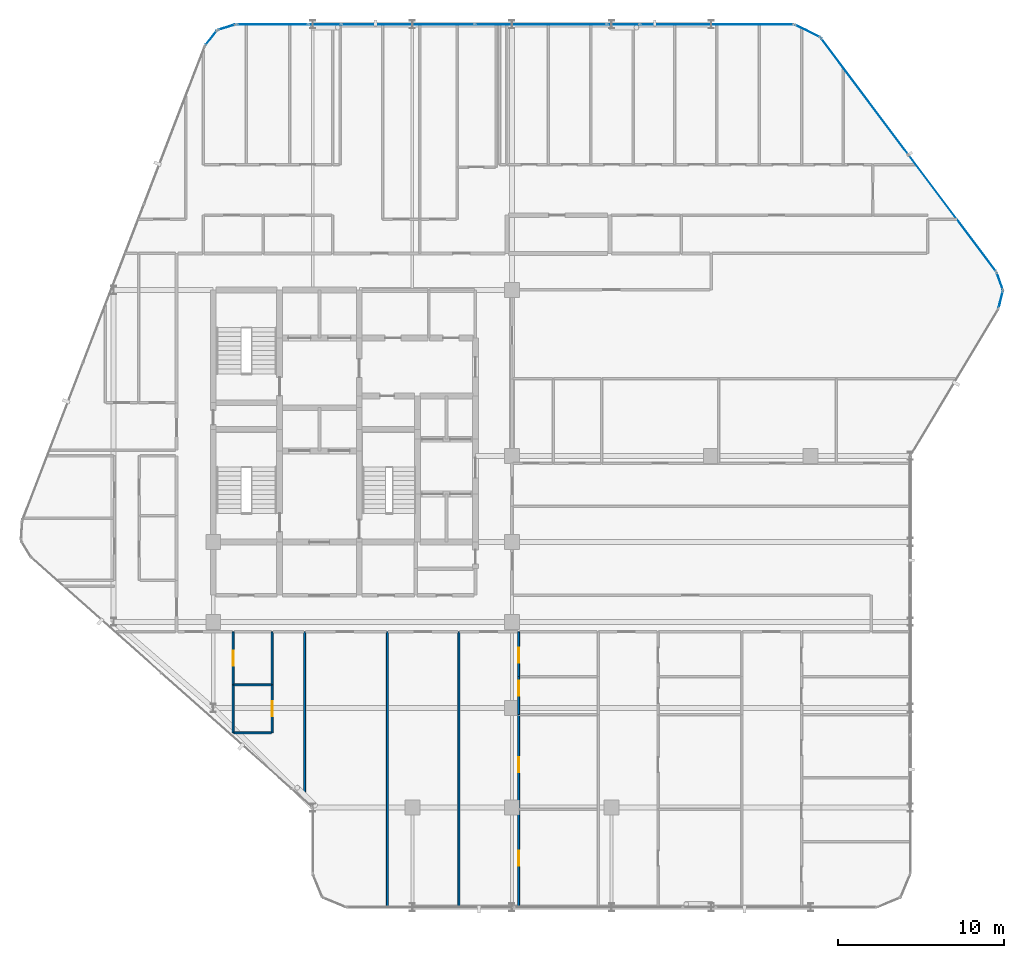
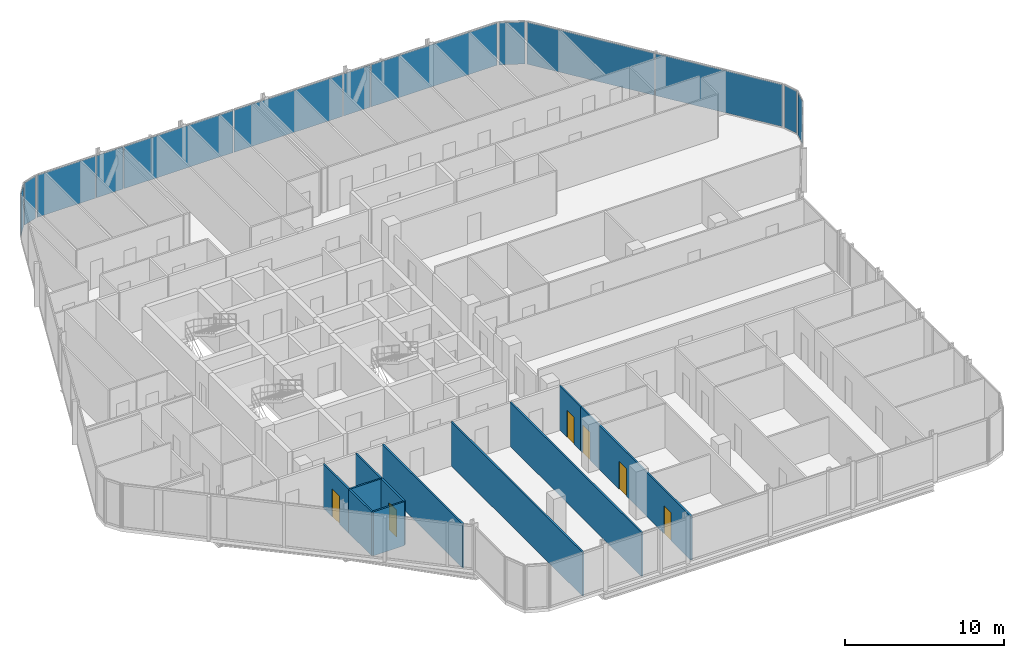
# One storey, part 24 of 31: 13 plates, 12 walls, 6 doors, 6 openings, 11 elements without a shape of their own.
"""IFC4 building model written with IfcOpenShell, lengths in metres."""

import ifcopenshell
import ifcopenshell.guid

model = None  # the IFC model being written
_history = None  # IfcOwnerHistory: only IFC2X3 demands one
_inside = {}  # id of a spatial element -> (the spatial element, [elements in it])
_under = {}  # id of a project, library or spatial element -> (it, [spatial elements below it])
_declared = {}  # id of a project -> (the project, [libraries it declares])
_typed = {}  # id of a type object -> (the type object, [elements of that type])
_made_of = {}  # id of a material, layer set ... -> (it, [elements and type objects made of it])


def new_model(schema):
    """Start an empty IFC model of exactly this schema.

    Asked for "IFC4X3", IfcOpenShell would pick the latest addendum, in which some entities
    have other attributes; the version numbers below select the first issue.
    IFC2X3 requires an IfcOwnerHistory on every rooted entity: one is made here for all.
    """
    global model, _history
    if schema == "IFC4X3":
        model = ifcopenshell.file(schema_version=(4, 3, 0, 0))
    else:
        model = ifcopenshell.file(schema=schema)
    _inside.clear()
    _under.clear()
    _declared.clear()
    _typed.clear()
    _made_of.clear()
    _history = None
    if model.schema == "IFC2X3":
        org = make("IfcOrganization", Name="unknown")
        user = make(
            "IfcPersonAndOrganization",
            ThePerson=make("IfcPerson", FamilyName="unknown"),
            TheOrganization=org,
        )
        app = make(
            "IfcApplication",
            ApplicationDeveloper=org,
            Version="unknown",
            ApplicationFullName="unknown",
            ApplicationIdentifier="unknown",
        )
        _history = make(
            "IfcOwnerHistory",
            OwningUser=user,
            OwningApplication=app,
            ChangeAction="ADDED",
            CreationDate=0,
        )
    return model


def make(cls, **values):
    """One entity of the class cls with the attributes given. An attribute that is None is left unset."""
    return model.create_entity(
        cls, **{name: value for name, value in values.items() if value is not None}
    )


def rooted(cls, **values):
    """An entity with a GlobalId (a new one), such as an element, a storey or a relation."""
    return make(cls, GlobalId=ifcopenshell.guid.new(), OwnerHistory=_history, **values)


def si_unit(unit_type, name, prefix=None):
    """IfcSIUnit, for example si_unit("LENGTHUNIT", "METRE", prefix="MILLI")."""
    return make("IfcSIUnit", UnitType=unit_type, Prefix=prefix, Name=name)


def assignment(units):
    """IfcUnitAssignment: the units of a project."""
    return None if units is None else make("IfcUnitAssignment", Units=units)


def point(xyz):
    """IfcCartesianPoint."""
    return None if xyz is None else make("IfcCartesianPoint", Coordinates=xyz)


def direction(xyz):
    """IfcDirection."""
    return None if xyz is None else make("IfcDirection", DirectionRatios=xyz)


def frame(location, z_axis=None, x_axis=None):
    """IfcAxis2Placement3D, a coordinate frame: its origin and axes. An axis left out is left unset."""
    return make(
        "IfcAxis2Placement3D",
        Location=point(location),
        Axis=direction(z_axis),
        RefDirection=direction(x_axis),
    )


def frame_2d(location, x_axis=None):
    """IfcAxis2Placement2D, a coordinate frame in the plane: its origin and x axis."""
    return make(
        "IfcAxis2Placement2D", Location=point(location), RefDirection=direction(x_axis)
    )


def origin():
    """The frame at (0, 0, 0) with its axes left unset."""
    return frame((0.0, 0.0, 0.0))


def origin_2d():
    """The frame at (0, 0) in the plane with its x axis left unset."""
    return frame_2d((0.0, 0.0))


def place(relative_to, where):
    """IfcLocalPlacement: puts the frame where relative to a parent placement (None: the world)."""
    return make(
        "IfcLocalPlacement", PlacementRelTo=relative_to, RelativePlacement=where
    )


def context(
    kind, dimensions, precision=None, world=None, true_north=None, identifier=None
):
    """IfcGeometricRepresentationContext, for example the 3D "Model" context."""
    return make(
        "IfcGeometricRepresentationContext",
        ContextIdentifier=identifier,
        ContextType=kind,
        CoordinateSpaceDimension=dimensions,
        Precision=precision,
        WorldCoordinateSystem=world,
        TrueNorth=true_north,
    )


def subcontext(parent, identifier, kind, view, scale=None):
    """IfcGeometricRepresentationSubContext, for example "Body" below "Model"."""
    return make(
        "IfcGeometricRepresentationSubContext",
        ContextIdentifier=identifier,
        ContextType=kind,
        ParentContext=parent,
        TargetScale=scale,
        TargetView=view,
    )


def project(units=None, contexts=None):
    """IfcProject with its units and contexts."""
    return rooted(
        "IfcProject",
        Name="project",
        RepresentationContexts=contexts,
        UnitsInContext=assignment(units),
    )


def spatial(cls, under=None, at=None, **own):
    """A site, building, storey or space (cls), placed at a placement, below another one or the project."""
    s = rooted(cls, ObjectPlacement=at, **own)
    if under is not None:
        _under.setdefault(under.id(), (under, []))[1].append(s)
    return s


def profile(cls, at=None, kind="AREA", **sizes):
    """A parametric profile (cls). Its sizes go by their IFC names, for example OverallWidth=200.0."""
    return make(cls, ProfileType=kind, Position=at, **sizes)


def rectangle(**sizes):
    """IfcRectangleProfileDef."""
    return profile("IfcRectangleProfileDef", **sizes)


def extrude(swept, where, along, depth):
    """IfcExtrudedAreaSolid: the profile swept, set in the frame where, extruded along a direction by depth."""
    return make(
        "IfcExtrudedAreaSolid",
        SweptArea=swept,
        Position=where,
        ExtrudedDirection=direction(along),
        Depth=depth,
    )


def shape(context_of_items, identifier, shape_type, items):
    """IfcShapeRepresentation: the items that make up one representation, for example the "Body"."""
    return make(
        "IfcShapeRepresentation",
        ContextOfItems=context_of_items,
        RepresentationIdentifier=identifier,
        RepresentationType=shape_type,
        Items=items,
    )


def material(Name=None, Category=None):
    """IfcMaterial."""
    return make("IfcMaterial", Name=Name, Category=Category)


def layer(
    of_material, thickness, ventilated=None, Name=None, Category=None, Priority=None
):
    """IfcMaterialLayer: one layer of a wall or slab, of a material (None: an air gap)."""
    return make(
        "IfcMaterialLayer",
        Material=of_material,
        LayerThickness=thickness,
        IsVentilated=ventilated,
        Name=Name,
        Category=Category,
        Priority=Priority,
    )


def layer_set(layers, Name=None):
    """IfcMaterialLayerSet."""
    return make("IfcMaterialLayerSet", MaterialLayers=layers, LayerSetName=Name)


def made_of(thing, what):
    """Note that an element or type object is made of a material, layer set ...; save() writes the relation."""
    if what is not None:
        _made_of.setdefault(what.id(), (what, []))[1].append(thing)
    return thing


def type_object(cls, material=None, **own):
    """A type object (cls), such as IfcWallType, which elements share."""
    return made_of(rooted(cls, **own), material)


def element(
    cls,
    number,
    at=None,
    inside=None,
    cuts=None,
    type_object=None,
    material=None,
    context=None,
    identifier="Body",
    shape_type=None,
    held_by="IfcProductDefinitionShape",
    body=None,
    shapes=None,
    **own,
):
    """One element of the class cls, such as IfcWall. Its Tag is "e" and its number.

    at: its placement. inside: the storey or other place that contains it. cuts: it is an
    opening in that element (IfcRelVoidsElement). A single representation is given by context,
    identifier, shape_type and body (its items); several are given by shapes. held_by: the class
    of the entity that holds the representations. save() writes the other relations.
    """
    e = rooted(cls, Tag="e%d" % number, ObjectPlacement=at, **own)
    if body is not None:
        shapes = [shape(context, identifier, shape_type, body)]
    if shapes is not None:
        e.Representation = make(held_by, Representations=shapes)
    if inside is not None:
        _inside.setdefault(inside.id(), (inside, []))[1].append(e)
    if cuts is not None:
        rooted(
            "IfcRelVoidsElement", RelatingBuildingElement=cuts, RelatedOpeningElement=e
        )
    if type_object is not None:
        _typed.setdefault(type_object.id(), (type_object, []))[1].append(e)
    return made_of(e, material)


def fill(opening, filler):
    """IfcRelFillsElement: the door or window that sits in an opening."""
    return rooted(
        "IfcRelFillsElement",
        RelatingOpeningElement=opening,
        RelatedBuildingElement=filler,
    )


def aggregate(whole, parts):
    """IfcRelAggregates: a whole, such as a stair, and the parts it consists of."""
    return rooted("IfcRelAggregates", RelatingObject=whole, RelatedObjects=parts)


def save(model, path):
    """Write the relations noted so far, then the file.

    IfcRelAggregates (storeys below a building ...), IfcRelContainedInSpatialStructure (elements
    in a storey), IfcRelDefinesByType, IfcRelAssociatesMaterial and IfcRelDeclares: one each for
    every whole, place, type object, material and project.
    """
    for whole, parts in _under.values():
        aggregate(whole, parts)
    for where, things in _inside.values():
        rooted(
            "IfcRelContainedInSpatialStructure",
            RelatedElements=things,
            RelatingStructure=where,
        )
    for kind, things in _typed.values():
        rooted("IfcRelDefinesByType", RelatedObjects=things, RelatingType=kind)
    for what, things in _made_of.values():
        rooted("IfcRelAssociatesMaterial", RelatedObjects=things, RelatingMaterial=what)
    for by, libraries in _declared.values():
        rooted("IfcRelDeclares", RelatingContext=by, RelatedDefinitions=libraries)
    model.write(path)


model = new_model("IFC4")

# Units and contexts
model_context = context("Model", 3, precision=1e-05, world=origin(), true_north=direction((0.0, 1.0)))
body_context = subcontext(model_context, "Body", "Model", "MODEL_VIEW")
ifc_project = project(units=[si_unit("LENGTHUNIT", "METRE"), si_unit("AREAUNIT", "SQUARE_METRE"), si_unit("VOLUMEUNIT", "CUBIC_METRE"), si_unit("PLANEANGLEUNIT", "RADIAN"), si_unit("MASSUNIT", "GRAM", prefix="KILO")], contexts=[model_context])

# Site, building, storey
site_placement = place(None, origin())
site = spatial("IfcSite", under=ifc_project, at=site_placement, CompositionType="ELEMENT")
building_placement = place(site_placement, origin())
building = spatial("IfcBuilding", under=site, at=building_placement, Name="Keshet Zoharim Tower", CompositionType="ELEMENT")
storey_placement = place(building_placement, frame((0.0, 0.0, 148.300048828125)))
storey = spatial("IfcBuildingStorey", under=building, at=storey_placement, Name="L36", CompositionType="ELEMENT", Elevation=148.300048828125)

# Curtain wall, plate
ifc_material_1 = material(Name="Aluminium 6063-T6", Category="aluminium")
ifc_layer_1 = layer(ifc_material_1, 0.159912109375)
ifc_layer_set_1 = layer_set([ifc_layer_1], Name="Aluminium 6063-T6")
curtain_wall_type = type_object("IfcCurtainWallType", Name="CW-SYS-03", PredefinedType="NOTDEFINED", material=ifc_layer_set_1)
curtain_wall_1_placement = place(storey_placement, origin())
curtain_wall_1 = element("IfcCurtainWall", 1, at=curtain_wall_1_placement, inside=storey, type_object=curtain_wall_type, Name="L36 Unitised Curtain Wall 11", PredefinedType="NOTDEFINED")
ifc_material_2 = material(Name="Insulated Low-E Clear Glass", Category="glass")
ifc_layer_2 = layer(ifc_material_2, 0.035888671875)
ifc_layer_set_2 = layer_set([ifc_layer_2], Name="Insulated Low-E Clear Glass")
plate_type_1 = type_object("IfcPlateType", Name="CWP-01", PredefinedType="CURTAIN_PANEL", material=ifc_layer_set_2)
plate_1_placement = place(storey_placement, frame((14.8740234375, 53.08349609375, 0.06982421875), z_axis=(0.0, 0.0, 1.0), x_axis=(0.619124525989, 0.785292825205, 0.0)))
plate_1 = element("IfcPlate", 2, at=plate_1_placement, type_object=plate_type_1, Name="CW-03 panel 1.1", PredefinedType="CURTAIN_PANEL", context=body_context, shape_type="SweptSolid", body=[
    extrude(rectangle(XDim=1.045654296875, YDim=0.035888671875, at=origin_2d()), origin(), (0.0, 0.0, 1.0), 3.2451171875),
])
aggregate(curtain_wall_1, [plate_1])

curtain_wall_2_placement = place(storey_placement, origin())
curtain_wall_2 = element("IfcCurtainWall", 3, at=curtain_wall_2_placement, inside=storey, type_object=curtain_wall_type, Name="L36 Unitised Curtain Wall 12", PredefinedType="NOTDEFINED")
plate_2_placement = place(storey_placement, frame((15.8076171875, 53.724609375, 0.06982421875), z_axis=(0.0, 0.0, 1.0), x_axis=(0.955212151288, 0.295921857984, 0.0)))
plate_2 = element("IfcPlate", 4, at=plate_2_placement, type_object=plate_type_1, Name="CW-03 panel 1.1", PredefinedType="CURTAIN_PANEL", context=body_context, shape_type="SweptSolid", body=[
    extrude(rectangle(XDim=1.046142578125, YDim=0.035888671875, at=origin_2d()), origin(), (0.0, 0.0, 1.0), 3.2451171875),
])
aggregate(curtain_wall_2, [plate_2])

curtain_wall_3_placement = place(storey_placement, origin())
curtain_wall_3 = element("IfcCurtainWall", 5, at=curtain_wall_3_placement, inside=storey, type_object=curtain_wall_type, Name="L36 Unitised Curtain Wall 13", PredefinedType="NOTDEFINED")
ifc_layer_3 = layer(ifc_material_2, 0.031982421875)
ifc_layer_set_3 = layer_set([ifc_layer_3], Name="Insulated Low-E Clear Glass")
plate_type_2 = type_object("IfcPlateType", Name="CWP-02", PredefinedType="CURTAIN_PANEL", material=ifc_layer_set_3)
plate_3_placement = place(storey_placement, frame((18.56298828125, 53.89990234375, 0.06982421875), z_axis=(0.0, 0.0, 1.0), x_axis=(1.0, 0.0, 0.0)))
plate_3 = element("IfcPlate", 6, at=plate_3_placement, type_object=plate_type_2, Name="CW-03 panel 1.1", PredefinedType="CURTAIN_PANEL", context=body_context, shape_type="SweptSolid", body=[
    extrude(rectangle(XDim=4.23779296875, YDim=0.031982421875, at=origin_2d()), origin(), (0.0, 0.0, 1.0), 3.2451171875),
])
aggregate(curtain_wall_3, [plate_3])

# Curtain wall, plates
curtain_wall_4_placement = place(storey_placement, origin())
curtain_wall_4 = element("IfcCurtainWall", 7, at=curtain_wall_4_placement, inside=storey, type_object=curtain_wall_type, Name="L36 Unitised Curtain Wall 13 Part 3", PredefinedType="NOTDEFINED")
plate_4_placement = place(storey_placement, frame((26.7314453125, 53.89990234375, 0.06982421875), z_axis=(0.0, 0.0, 1.0), x_axis=(1.0, 0.0, 0.0)))
plate_4 = element("IfcPlate", 8, at=plate_4_placement, type_object=plate_type_2, Name="CW-03 panel 1.1", PredefinedType="CURTAIN_PANEL", context=body_context, shape_type="SweptSolid", body=[
    extrude(rectangle(XDim=7.966796875, YDim=0.031982421875, at=origin_2d()), origin(), (0.0, 0.0, 1.0), 3.2451171875),
])
plate_5_placement = place(storey_placement, frame((34.7333984375, 53.89990234375, 0.06982421875), z_axis=(0.0, 0.0, 1.0), x_axis=(1.0, 0.0, 0.0)))
plate_5 = element("IfcPlate", 9, at=plate_5_placement, type_object=plate_type_2, Name="CW-03 panel 2.1", PredefinedType="CURTAIN_PANEL", context=body_context, shape_type="SweptSolid", body=[
    extrude(rectangle(XDim=7.89697265625, YDim=0.031982421875, at=origin_2d()), origin(), (0.0, 0.0, 1.0), 3.2451171875),
])
aggregate(curtain_wall_4, [plate_4, plate_5])

# Curtain wall, plate
curtain_wall_5_placement = place(storey_placement, origin())
curtain_wall_5 = element("IfcCurtainWall", 10, at=curtain_wall_5_placement, inside=storey, type_object=curtain_wall_type, Name="L36 Unitised Curtain Wall 13 Part 5", PredefinedType="NOTDEFINED")
plate_6_placement = place(storey_placement, frame((45.339111328125, 53.89990234375, 0.06982421875), z_axis=(0.0, 0.0, 1.0), x_axis=(1.0, 0.0, 0.0)))
plate_6 = element("IfcPlate", 11, at=plate_6_placement, type_object=plate_type_2, Name="CW-03 panel 1.1", PredefinedType="CURTAIN_PANEL", context=body_context, shape_type="SweptSolid", body=[
    extrude(rectangle(XDim=9.181884765625, YDim=0.031982421875, at=origin_2d()), origin(), (0.0, 0.0, 1.0), 3.2451171875),
])
aggregate(curtain_wall_5, [plate_6])

curtain_wall_6_placement = place(storey_placement, origin())
curtain_wall_6 = element("IfcCurtainWall", 12, at=curtain_wall_6_placement, inside=storey, type_object=curtain_wall_type, Name="L36 Unitised Curtain Wall 14", PredefinedType="NOTDEFINED")
plate_7_placement = place(storey_placement, frame((50.800048828125, 53.5, 0.06982421875), z_axis=(0.0, 0.0, 1.0), x_axis=(0.894427191001, -0.447213595499, 0.0)))
plate_7 = element("IfcPlate", 13, at=plate_7_placement, type_object=plate_type_2, Name="CW-03 panel 1.1", PredefinedType="CURTAIN_PANEL", context=body_context, shape_type="SweptSolid", body=[
    extrude(rectangle(XDim=1.64892578125, YDim=0.031982421875, at=origin_2d()), origin(), (0.0, 0.0, 1.0), 3.2451171875),
])
aggregate(curtain_wall_6, [plate_7])

# Curtain wall, plates
curtain_wall_7_placement = place(storey_placement, origin())
curtain_wall_7 = element("IfcCurtainWall", 14, at=curtain_wall_7_placement, inside=storey, type_object=curtain_wall_type, Name="L36 Unitised Curtain Wall 15", PredefinedType="NOTDEFINED")
plate_8_placement = place(storey_placement, frame((54.2587890625, 49.554931640625, 0.06982421875), z_axis=(0.0, 0.0, 1.0), x_axis=(0.600000000002, -0.799999999998, 0.0)))
plate_8 = element("IfcPlate", 15, at=plate_8_placement, type_object=plate_type_2, Name="CW-03 panel 1.1", PredefinedType="CURTAIN_PANEL", context=body_context, shape_type="SweptSolid", body=[
    extrude(rectangle(XDim=8.722412109375, YDim=0.031982421875, at=origin_2d()), origin(), (0.0, 0.0, 1.0), 3.2451171875),
])
plate_9_placement = place(storey_placement, frame((59.5341796875, 42.52099609375, 0.06982421875), z_axis=(0.0, 0.0, 1.0), x_axis=(0.600000000002, -0.799999999998, 0.0)))
plate_9 = element("IfcPlate", 16, at=plate_9_placement, type_object=plate_type_2, Name="CW-03 panel 2.1", PredefinedType="CURTAIN_PANEL", context=body_context, shape_type="SweptSolid", body=[
    extrude(rectangle(XDim=8.722412109375, YDim=0.031982421875, at=origin_2d()), origin(), (0.0, 0.0, 1.0), 3.2451171875),
])
aggregate(curtain_wall_7, [plate_8, plate_9])

# Curtain wall, plate
curtain_wall_8_placement = place(storey_placement, origin())
curtain_wall_8 = element("IfcCurtainWall", 17, at=curtain_wall_8_placement, inside=storey, type_object=curtain_wall_type, Name="L36 Unitised Curtain Wall 16", PredefinedType="NOTDEFINED")
plate_10_placement = place(storey_placement, frame((62.3916015625, 38.427490234375, 0.06982421875), z_axis=(0.0, 0.0, 1.0), x_axis=(0.340297354046, -0.940317877544, 0.0)))
plate_10 = element("IfcPlate", 18, at=plate_10_placement, type_object=plate_type_2, Name="CW-03 panel 1.1", PredefinedType="CURTAIN_PANEL", context=body_context, shape_type="SweptSolid", body=[
    extrude(rectangle(XDim=1.026611328125, YDim=0.031982421875, at=origin_2d()), origin(), (0.0, 0.0, 1.0), 3.2451171875),
])
aggregate(curtain_wall_8, [plate_10])

curtain_wall_9_placement = place(storey_placement, origin())
curtain_wall_9 = element("IfcCurtainWall", 19, at=curtain_wall_9_placement, inside=storey, type_object=curtain_wall_type, Name="L36 Unitised Curtain Wall 17", PredefinedType="NOTDEFINED")
plate_11_placement = place(storey_placement, frame((62.448974609375, 37.31298828125, 0.06982421875), z_axis=(0.0, 0.0, 1.0), x_axis=(-0.241728770141, -0.970343857447, 0.0)))
plate_11 = element("IfcPlate", 20, at=plate_11_placement, type_object=plate_type_2, Name="CW-03 panel 1.1", PredefinedType="CURTAIN_PANEL", context=body_context, shape_type="SweptSolid", body=[
    extrude(rectangle(XDim=1.026611328125, YDim=0.031982421875, at=origin_2d()), origin(), (0.0, 0.0, 1.0), 3.2451171875),
])
aggregate(curtain_wall_9, [plate_11])

curtain_wall_10_placement = place(storey_placement, origin())
curtain_wall_10 = element("IfcCurtainWall", 21, at=curtain_wall_10_placement, inside=storey, type_object=curtain_wall_type, Name="L36 Unitised Curtain Wall 13 Part 2", PredefinedType="NOTDEFINED")
ifc_material_3 = material(Name="Insulated Aluminium Spandrel Panel", Category="aluminium")
ifc_layer_4 = layer(ifc_material_3, 0.031982421875)
ifc_layer_set_4 = layer_set([ifc_layer_4], Name="Insulated Aluminium Spandrel Panel")
plate_type_3 = type_object("IfcPlateType", Name="CWP-05", PredefinedType="CURTAIN_PANEL", material=ifc_layer_set_4)
plate_12_placement = place(storey_placement, frame((21.715087890625, 53.89990234375, 0.06982421875), z_axis=(0.0, 0.0, 1.0), x_axis=(1.0, 0.0, 0.0)))
plate_12 = element("IfcPlate", 22, at=plate_12_placement, type_object=plate_type_3, Name="CW-03 spandrel panel 1.1", PredefinedType="CURTAIN_PANEL", context=body_context, shape_type="SweptSolid", body=[
    extrude(rectangle(XDim=1.92626953125, YDim=0.031982421875, at=origin_2d()), origin(), (0.0, 0.0, 1.0), 3.2451171875),
])
aggregate(curtain_wall_10, [plate_12])

curtain_wall_11_placement = place(storey_placement, origin())
curtain_wall_11 = element("IfcCurtainWall", 23, at=curtain_wall_11_placement, inside=storey, type_object=curtain_wall_type, Name="L36 Unitised Curtain Wall 13 Part 4", PredefinedType="NOTDEFINED")
plate_13_placement = place(storey_placement, frame((39.715087890625, 53.89990234375, 0.06982421875), z_axis=(0.0, 0.0, 1.0), x_axis=(1.0, 0.0, 0.0)))
plate_13 = element("IfcPlate", 24, at=plate_13_placement, type_object=plate_type_3, Name="CW-03 spandrel panel 1.1", PredefinedType="CURTAIN_PANEL", context=body_context, shape_type="SweptSolid", body=[
    extrude(rectangle(XDim=1.92626953125, YDim=0.031982421875, at=origin_2d()), origin(), (0.0, 0.0, 1.0), 3.2451171875),
])
aggregate(curtain_wall_11, [plate_13])

# Wall, opening, door
ifc_material_4 = material(Name="Gypsum Plasterboard", Category="gypsum")
ifc_layer_5 = layer(ifc_material_4, 0.1201171875)
ifc_layer_set_5 = layer_set([ifc_layer_5], Name="Gypsum Plasterboard")
wall_type_1 = type_object("IfcWallType", Name="WL-PART-120", PredefinedType="PARTITIONING", material=ifc_layer_set_5)
wall_1_placement = place(storey_placement, frame((16.199951171875, 14.10009765625, 0.0), z_axis=(0.0, 0.0, 1.0), x_axis=(0.0, 1.0, 0.0)))
wall_1 = element("IfcWall", 25, at=wall_1_placement, inside=storey, type_object=wall_type_1, Name="L36 Interior Wall 019", PredefinedType="PARTITIONING", context=body_context, shape_type="SweptSolid", body=[
    extrude(rectangle(XDim=3.199951171875, YDim=0.1201171875, at=frame_2d((1.60009765625, 0.0))), origin(), (0.0, 0.0, 1.0), 3.385009765625),
])
opening_1_placement = place(wall_1_placement, frame((1.14990234375, 0.0, 0.0)))
opening_1 = element("IfcOpeningElement", 26, at=opening_1_placement, cuts=wall_1, Name="Opening D-IN90", PredefinedType="OPENING", context=body_context, shape_type="SweptSolid", body=[
    extrude(rectangle(XDim=0.89990234375, YDim=2.14990234375, at=frame_2d((0.449951171875, 1.074951171875))), frame((0.0, 0.070068359375, 0.0), z_axis=(0.0, -1.0, 0.0), x_axis=(1.0, 0.0, 0.0)), (0.0, 0.0, 1.0), 0.14013671875),
])
ifc_material_5 = material(Name="Hardwood Timber", Category="wood")
door_type_1 = type_object("IfcDoorType", Name="DR-INT-090", OperationType="NOTDEFINED", PredefinedType="DOOR", material=ifc_material_5)
door_1_placement = place(opening_1_placement, origin())
door_1 = element("IfcDoor", 27, at=door_1_placement, inside=storey, type_object=door_type_1, Name="Apartment 3601 Kitchenette Door", OperationType="SINGLE_SWING_LEFT", OverallHeight=2.14990234375, OverallWidth=0.89990234375, PredefinedType="DOOR", context=body_context, shape_type="SweptSolid", body=[
    extrude(rectangle(XDim=0.89990234375, YDim=2.14990234375, at=frame_2d((0.449951171875, 1.074951171875))), frame((0.0, 0.02490234375, 0.0), z_axis=(0.0, -1.0, 0.0), x_axis=(1.0, 0.0, 0.0)), (0.0, 0.0, 1.0), 0.050048828125),
])
fill(opening_1, door_1)

# Walls
wall_2_placement = place(storey_placement, frame((18.550048828125, 14.10009765625, 0.0), z_axis=(0.0, 0.0, 1.0), x_axis=(0.0, 1.0, 0.0)))
element("IfcWall", 28, at=wall_2_placement, inside=storey, type_object=wall_type_1, Name="L36 Interior Wall 023", PredefinedType="PARTITIONING", context=body_context, shape_type="SweptSolid", body=[
    extrude(rectangle(XDim=3.199951171875, YDim=0.1201171875, at=frame_2d((1.60009765625, 0.0))), origin(), (0.0, 0.0, 1.0), 3.385009765625),
])
wall_3_placement = place(storey_placement, frame((20.5, 7.154052734375, 0.0), z_axis=(0.0, 0.0, 1.0), x_axis=(0.0, 1.0, 0.0)))
element("IfcWall", 29, at=wall_3_placement, inside=storey, type_object=wall_type_1, Name="L36 Interior Wall 030", PredefinedType="PARTITIONING", context=body_context, shape_type="SweptSolid", body=[
    extrude(rectangle(XDim=10.14599609375, YDim=0.1201171875, at=frame_2d((5.072998046875, 0.0))), origin(), (0.0, 0.0, 1.0), 3.385009765625),
])
for number, where, z_axis, x_axis, name in (
    (30, (25.5, 0.7099609375, 0.0), (0.0, 0.0, 1.0), (0.0, 1.0, 0.0), "L36 Interior Wall 044"),
    (31, (29.800048828125, 0.7099609375, 0.0), (0.0, 0.0, 1.0), (0.0, 1.0, 0.0), "L36 Interior Wall 058"),
):
    element("IfcWall", number, at=place(storey_placement, frame(where, z_axis=z_axis, x_axis=x_axis)), inside=storey, type_object=wall_type_1, Name=name, PredefinedType="PARTITIONING", context=body_context, shape_type="SweptSolid", body=[
        extrude(rectangle(XDim=16.590087890625, YDim=0.1201171875, at=frame_2d((8.294921875, 0.0))), origin(), (0.0, 0.0, 1.0), 3.385009765625),
    ])

# Wall, openings, doors
wall_4_placement = place(storey_placement, frame((33.39990234375, 0.7099609375, 0.0), z_axis=(0.0, 0.0, 1.0), x_axis=(0.0, 1.0, 0.0)))
wall_4 = element("IfcWall", 32, at=wall_4_placement, inside=storey, type_object=wall_type_1, Name="L36 Interior Wall 074", PredefinedType="PARTITIONING", context=body_context, shape_type="SweptSolid", body=[
    extrude(rectangle(XDim=11.590087890625, YDim=0.1201171875, at=frame_2d((5.794921875, 0.0))), origin(), (0.0, 0.0, 1.0), 3.385009765625),
])
opening_2_placement = place(wall_4_placement, frame((2.489990234375, 0.0, 0.0)))
opening_2 = element("IfcOpeningElement", 33, at=opening_2_placement, cuts=wall_4, Name="Opening D-IN90", PredefinedType="OPENING", context=body_context, shape_type="SweptSolid", body=[
    extrude(rectangle(XDim=0.89990234375, YDim=2.14990234375, at=frame_2d((0.449951171875, 1.074951171875))), frame((0.0, 0.070068359375, 0.0), z_axis=(0.0, -1.0, 0.0), x_axis=(1.0, 0.0, 0.0)), (0.0, 0.0, 1.0), 0.14013671875),
])
opening_3_placement = place(wall_4_placement, frame((8.133056640625, 0.0, 0.0)))
opening_3 = element("IfcOpeningElement", 34, at=opening_3_placement, cuts=wall_4, Name="Opening D-IN90", PredefinedType="OPENING", context=body_context, shape_type="SweptSolid", body=[
    extrude(rectangle(XDim=0.89990234375, YDim=2.14990234375, at=frame_2d((0.449951171875, 1.074951171875))), frame((0.0, 0.070068359375, 0.0), z_axis=(0.0, -1.0, 0.0), x_axis=(1.0, 0.0, 0.0)), (0.0, 0.0, 1.0), 0.14013671875),
])
door_2_placement = place(opening_2_placement, origin())
door_2 = element("IfcDoor", 35, at=door_2_placement, inside=storey, type_object=door_type_1, Name="Apartment 3602 Bedroom 1 Door", OperationType="SINGLE_SWING_LEFT", OverallHeight=2.14990234375, OverallWidth=0.89990234375, PredefinedType="DOOR", context=body_context, shape_type="SweptSolid", body=[
    extrude(rectangle(XDim=0.89990234375, YDim=2.14990234375, at=frame_2d((0.449951171875, 1.074951171875))), frame((0.0, 0.02490234375, 0.0), z_axis=(0.0, -1.0, 0.0), x_axis=(1.0, 0.0, 0.0)), (0.0, 0.0, 1.0), 0.050048828125),
])
fill(opening_2, door_2)
door_3_placement = place(opening_3_placement, origin())
door_3 = element("IfcDoor", 36, at=door_3_placement, inside=storey, type_object=door_type_1, Name="Apartment 3602 Bedroom 2 Door", OperationType="SINGLE_SWING_RIGHT", OverallHeight=2.14990234375, OverallWidth=0.89990234375, PredefinedType="DOOR", context=body_context, shape_type="SweptSolid", body=[
    extrude(rectangle(XDim=0.89990234375, YDim=2.14990234375, at=frame_2d((0.449951171875, 1.074951171875))), frame((0.0, 0.02490234375, 0.0), z_axis=(0.0, -1.0, 0.0), x_axis=(1.0, 0.0, 0.0)), (0.0, 0.0, 1.0), 0.050048828125),
])
fill(opening_3, door_3)

# Wall, opening, door
wall_5_placement = place(storey_placement, frame((33.39990234375, 12.300048828125, 0.0), z_axis=(0.0, 0.0, 1.0), x_axis=(0.0, 1.0, 0.0)))
wall_5 = element("IfcWall", 37, at=wall_5_placement, inside=storey, type_object=wall_type_1, Name="L36 Interior Wall 075", PredefinedType="PARTITIONING", context=body_context, shape_type="SweptSolid", body=[
    extrude(rectangle(XDim=2.300048828125, YDim=0.1201171875, at=frame_2d((1.14990234375, 0.0))), origin(), (0.0, 0.0, 1.0), 3.385009765625),
])
opening_4_placement = place(wall_5_placement, frame((1.14208984375, 0.0, 0.0)))
opening_4 = element("IfcOpeningElement", 38, at=opening_4_placement, cuts=wall_5, Name="Opening D-IN90", PredefinedType="OPENING", context=body_context, shape_type="SweptSolid", body=[
    extrude(rectangle(XDim=0.89990234375, YDim=2.14990234375, at=frame_2d((0.449951171875, 1.074951171875))), frame((0.0, 0.070068359375, 0.0), z_axis=(0.0, -1.0, 0.0), x_axis=(1.0, 0.0, 0.0)), (0.0, 0.0, 1.0), 0.14013671875),
])
door_4_placement = place(opening_4_placement, origin())
door_4 = element("IfcDoor", 39, at=door_4_placement, inside=storey, type_object=door_type_1, Name="Apartment 3602 Kitchen Door", OperationType="SINGLE_SWING_LEFT", OverallHeight=2.14990234375, OverallWidth=0.89990234375, PredefinedType="DOOR", context=body_context, shape_type="SweptSolid", body=[
    extrude(rectangle(XDim=0.89990234375, YDim=2.14990234375, at=frame_2d((0.449951171875, 1.074951171875))), frame((0.0, 0.02490234375, 0.0), z_axis=(0.0, -1.0, 0.0), x_axis=(1.0, 0.0, 0.0)), (0.0, 0.0, 1.0), 0.050048828125),
])
fill(opening_4, door_4)

# Wall
ifc_layer_6 = layer(ifc_material_4, 0.1201171875)
ifc_layer_set_6 = layer_set([ifc_layer_6], Name="Gypsum Plasterboard")
wall_type_2 = type_object("IfcWallType", Name="WL-WET-120", PredefinedType="PARTITIONING", material=ifc_layer_set_6)
wall_6_placement = place(storey_placement, frame((16.199951171875, 11.199951171875, 0.0), z_axis=(0.0, 0.0, 1.0), x_axis=(0.0, 1.0, 0.0)))
element("IfcWall", 40, at=wall_6_placement, inside=storey, type_object=wall_type_2, Name="L36 Interior Wall 018", PredefinedType="PARTITIONING", context=body_context, shape_type="SweptSolid", body=[
    extrude(rectangle(XDim=2.900146484375, YDim=0.1201171875, at=frame_2d((1.4501953125, 0.0))), origin(), (0.0, 0.0, 1.0), 3.385009765625),
])

# Wall, opening, door
wall_7_placement = place(storey_placement, frame((18.550048828125, 11.199951171875, 0.0), z_axis=(0.0, 0.0, 1.0), x_axis=(0.0, 1.0, 0.0)))
wall_7 = element("IfcWall", 41, at=wall_7_placement, inside=storey, type_object=wall_type_2, Name="L36 Interior Wall 022", PredefinedType="PARTITIONING", context=body_context, shape_type="SweptSolid", body=[
    extrude(rectangle(XDim=2.900146484375, YDim=0.1201171875, at=frame_2d((1.4501953125, 0.0))), origin(), (0.0, 0.0, 1.0), 3.385009765625),
])
opening_5_placement = place(wall_7_placement, frame((1.0, 0.0, 0.0)))
opening_5 = element("IfcOpeningElement", 42, at=opening_5_placement, cuts=wall_7, Name="Opening D-WT90", PredefinedType="OPENING", context=body_context, shape_type="SweptSolid", body=[
    extrude(rectangle(XDim=0.89990234375, YDim=2.10009765625, at=frame_2d((0.449951171875, 1.050048828125))), frame((0.0, 0.070068359375, 0.0), z_axis=(0.0, -1.0, 0.0), x_axis=(1.0, 0.0, 0.0)), (0.0, 0.0, 1.0), 0.14013671875),
])
door_type_2 = type_object("IfcDoorType", Name="DR-WET-090", OperationType="NOTDEFINED", PredefinedType="DOOR", material=ifc_material_5)
door_5_placement = place(opening_5_placement, origin())
door_5 = element("IfcDoor", 43, at=door_5_placement, inside=storey, type_object=door_type_2, Name="Apartment 3601 Bathroom Door", OperationType="SINGLE_SWING_RIGHT", OverallHeight=2.10009765625, OverallWidth=0.89990234375, PredefinedType="DOOR", context=body_context, shape_type="SweptSolid", body=[
    extrude(rectangle(XDim=0.89990234375, YDim=2.10009765625, at=frame_2d((0.449951171875, 1.050048828125))), frame((0.0, 0.02490234375, 0.0), z_axis=(0.0, -1.0, 0.0), x_axis=(1.0, 0.0, 0.0)), (0.0, 0.0, 1.0), 0.050048828125),
])
fill(opening_5, door_5)

wall_8_placement = place(storey_placement, frame((33.39990234375, 14.60009765625, 0.0), z_axis=(0.0, 0.0, 1.0), x_axis=(0.0, 1.0, 0.0)))
wall_8 = element("IfcWall", 44, at=wall_8_placement, inside=storey, type_object=wall_type_2, Name="L36 Interior Wall 076", PredefinedType="PARTITIONING", context=body_context, shape_type="SweptSolid", body=[
    extrude(rectangle(XDim=2.699951171875, YDim=0.1201171875, at=frame_2d((1.35009765625, 0.0))), origin(), (0.0, 0.0, 1.0), 3.385009765625),
])
opening_6_placement = place(wall_8_placement, frame((0.827880859375, 0.0, 0.0)))
opening_6 = element("IfcOpeningElement", 45, at=opening_6_placement, cuts=wall_8, Name="Opening D-WT90", PredefinedType="OPENING", context=body_context, shape_type="SweptSolid", body=[
    extrude(rectangle(XDim=0.89990234375, YDim=2.10009765625, at=frame_2d((0.449951171875, 1.050048828125))), frame((0.0, 0.070068359375, 0.0), z_axis=(0.0, -1.0, 0.0), x_axis=(1.0, 0.0, 0.0)), (0.0, 0.0, 1.0), 0.14013671875),
])
door_6_placement = place(opening_6_placement, origin())
door_6 = element("IfcDoor", 46, at=door_6_placement, inside=storey, type_object=door_type_2, Name="Apartment 3602 Bathroom Door", OperationType="SINGLE_SWING_RIGHT", OverallHeight=2.10009765625, OverallWidth=0.89990234375, PredefinedType="DOOR", context=body_context, shape_type="SweptSolid", body=[
    extrude(rectangle(XDim=0.89990234375, YDim=2.10009765625, at=frame_2d((0.449951171875, 1.050048828125))), frame((0.0, 0.02490234375, 0.0), z_axis=(0.0, -1.0, 0.0), x_axis=(1.0, 0.0, 0.0)), (0.0, 0.0, 1.0), 0.050048828125),
])
fill(opening_6, door_6)

# Walls
for number, where, z_axis, x_axis, name in (
    (47, (16.2451171875, 11.199951171875, 0.0), (0.0, 0.0, 1.0), (1.0, 0.0, 0.0), "L36 Interior Wall 111"),
    (48, (16.2451171875, 14.10009765625, 0.0), (0.0, 0.0, 1.0), (1.0, 0.0, 0.0), "L36 Interior Wall 115"),
):
    element("IfcWall", number, at=place(storey_placement, frame(where, z_axis=z_axis, x_axis=x_axis)), inside=storey, type_object=wall_type_2, Name=name, PredefinedType="PARTITIONING", context=body_context, shape_type="SweptSolid", body=[
        extrude(rectangle(XDim=2.259765625, YDim=0.1201171875, at=frame_2d((1.1298828125, 0.0))), origin(), (0.0, 0.0, 1.0), 3.385009765625),
    ])

save(model, "model.ifc")
